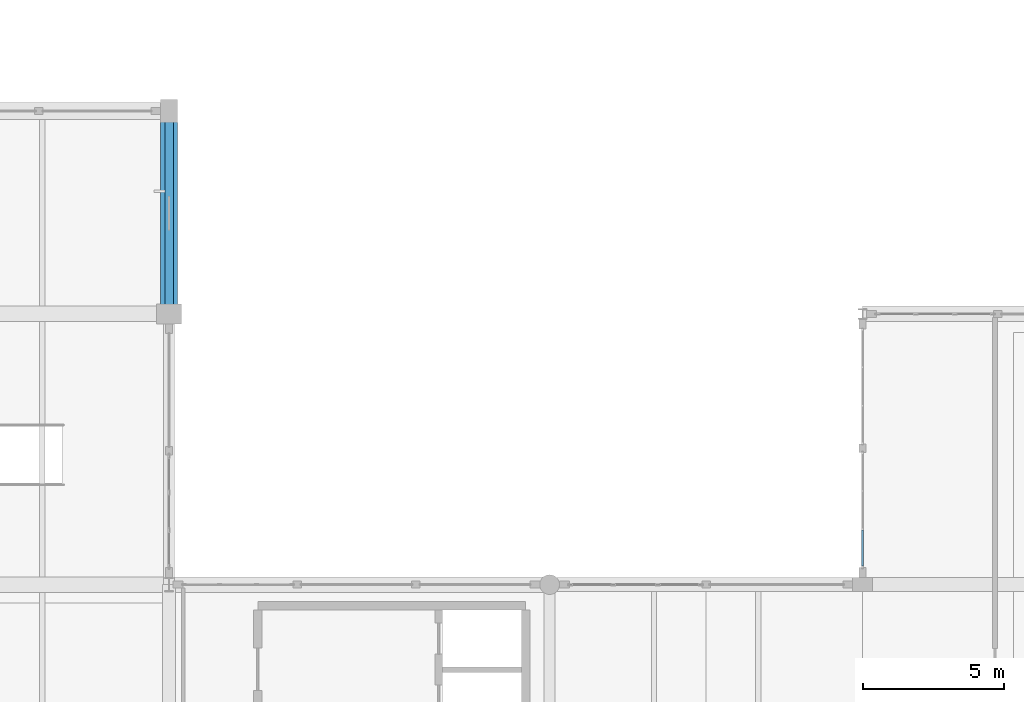
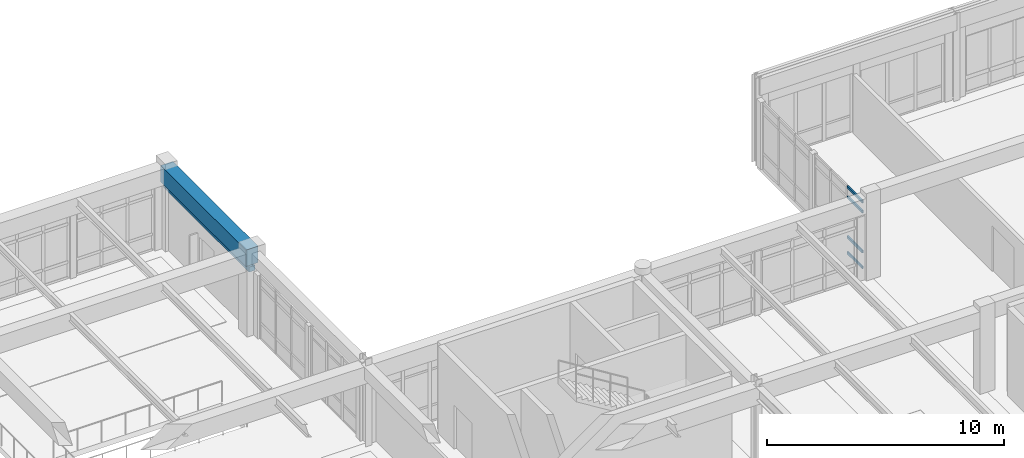
# One storey, part 37 of 80: 4 members, 2 beams, 1 element without a shape of its own.
"""IFC4 building model written with IfcOpenShell, lengths in metres."""

from ifc_helpers import new_model, si_unit, direction, frame, origin, origin_2d, place, context, subcontext, project, spatial, rectangle, hollow_rectangle, extrude, material, layer, layer_set, material_profile, profile_set, type_object, element, aggregate, save


model = new_model("IFC4")

# Units and contexts
model_context = context("Model", 3, precision=1e-05, world=origin(), true_north=direction((0.0, 1.0)))
body_context = subcontext(model_context, "Body", "Model", "MODEL_VIEW")
ifc_project = project(units=[si_unit("LENGTHUNIT", "METRE"), si_unit("AREAUNIT", "SQUARE_METRE"), si_unit("VOLUMEUNIT", "CUBIC_METRE"), si_unit("PLANEANGLEUNIT", "RADIAN"), si_unit("MASSUNIT", "GRAM", prefix="KILO")], contexts=[model_context])

# Site, building, storey
site_placement = place(None, origin())
site = spatial("IfcSite", under=ifc_project, at=site_placement, CompositionType="ELEMENT")
building_placement = place(site_placement, origin())
building = spatial("IfcBuilding", under=site, at=building_placement, Name="Fikremerkos Civic Library", CompositionType="ELEMENT")
storey_placement = place(building_placement, frame((0.0, 0.0, 9.89990234375)))
storey = spatial("IfcBuildingStorey", under=building, at=storey_placement, Name="L02", CompositionType="ELEMENT", Elevation=9.89990234375)

# Curtain wall, members
ifc_material_1 = material(Name="Anodized aluminium Frame", Category="aluminium")
ifc_layer = layer(ifc_material_1, 0.159912109375, Name="Anodized aluminium Frame")
ifc_layer_set = layer_set([ifc_layer], Name="Anodized aluminium Frame")
curtain_wall_type = type_object("IfcCurtainWallType", Name="Unitised curtain wall CW-11 3200x3400", PredefinedType="USERDEFINED", material=ifc_layer_set)
curtain_wall_placement = place(storey_placement, origin())
curtain_wall = element("IfcCurtainWall", 1, at=curtain_wall_placement, inside=storey, type_object=curtain_wall_type, Name="Unitised curtain wall CW-11 L02 #173", ObjectType="UNITISED CURTAIN WALL", PredefinedType="USERDEFINED")
ifc_material_profile_1 = material_profile(ifc_material_1, hollow_rectangle(XDim=0.06494140625, YDim=0.135009765625, WallThickness=0.00439453125, at=origin_2d()), Name="ALU 135x65x4.5")
ifc_profile_set_1 = profile_set([ifc_material_profile_1], Name="Anodized aluminium Frame")
member_type = type_object("IfcMemberType", Name="Curtain transom CWT-02 ALU 135x65x4.5", PredefinedType="USERDEFINED", material=ifc_profile_set_1)
member_1_placement = place(storey_placement, frame((124.800048828125, 31.85791015625, 0.03271484375), z_axis=(0.0, 1.0, 0.0), x_axis=(-1.0, 0.0, 0.0)))
member_1 = element("IfcMember", 2, at=member_1_placement, type_object=member_type, Name="CW-11 transom 1.1", ObjectType="TRANSOM", PredefinedType="USERDEFINED", context=body_context, shape_type="SweptSolid", body=[
    extrude(hollow_rectangle(XDim=0.06494140625, YDim=0.135009765625, WallThickness=0.00439453125, at=origin_2d()), origin(), (0.0, 0.0, 1.0), 1.2724609375),
])
member_2_placement = place(storey_placement, frame((124.800048828125, 31.85791015625, 0.85009765625), z_axis=(0.0, 1.0, 0.0), x_axis=(-1.0, 0.0, 0.0)))
member_2 = element("IfcMember", 3, at=member_2_placement, type_object=member_type, Name="CW-11 transom 1.2", ObjectType="TRANSOM", PredefinedType="USERDEFINED", context=body_context, shape_type="SweptSolid", body=[
    extrude(hollow_rectangle(XDim=0.06494140625, YDim=0.135009765625, WallThickness=0.00439453125, at=origin_2d()), origin(), (0.0, 0.0, 1.0), 1.2724609375),
])
member_3_placement = place(storey_placement, frame((124.800048828125, 31.85791015625, 2.900146484375), z_axis=(0.0, 1.0, 0.0), x_axis=(-1.0, 0.0, 0.0)))
member_3 = element("IfcMember", 4, at=member_3_placement, type_object=member_type, Name="CW-11 transom 1.3", ObjectType="TRANSOM", PredefinedType="USERDEFINED", context=body_context, shape_type="SweptSolid", body=[
    extrude(hollow_rectangle(XDim=0.06494140625, YDim=0.135009765625, WallThickness=0.00439453125, at=origin_2d()), origin(), (0.0, 0.0, 1.0), 1.2724609375),
])
member_4_placement = place(storey_placement, frame((124.800048828125, 31.85791015625, 3.41748046875), z_axis=(0.0, 1.0, 0.0), x_axis=(-1.0, 0.0, 0.0)))
member_4 = element("IfcMember", 5, at=member_4_placement, type_object=member_type, Name="CW-11 transom 1.4", ObjectType="TRANSOM", PredefinedType="USERDEFINED", context=body_context, shape_type="SweptSolid", body=[
    extrude(hollow_rectangle(XDim=0.06494140625, YDim=0.135009765625, WallThickness=0.00439453125, at=origin_2d()), origin(), (0.0, 0.0, 1.0), 1.2724609375),
])
aggregate(curtain_wall, [member_1, member_2, member_3, member_4])

# Beams
ifc_material_2 = material(Name="Concrete C40/50", Category="concrete")
ifc_material_profile_2 = material_profile(ifc_material_2, rectangle(XDim=0.300048828125, YDim=0.260009765625, at=origin_2d()), Name="RC 300x260")
ifc_profile_set_2 = profile_set([ifc_material_profile_2], Name="Concrete C40/50")
beam_type_1 = type_object("IfcBeamType", Name="Opening lintel LNT-02 RC 300x260", PredefinedType="LINTEL", material=ifc_profile_set_2)
beam_1_placement = place(storey_placement, frame((100.199951171875, 48.0, 3.16015625), z_axis=(0.0, -1.0, 0.0), x_axis=(1.0, 0.0, 0.0)))
element("IfcBeam", 6, at=beam_1_placement, inside=storey, type_object=beam_type_1, Name="Courtyard window head lintel LNT-02 L02 #27", PredefinedType="LINTEL", context=body_context, shape_type="SweptSolid", body=[
    extrude(rectangle(XDim=0.300048828125, YDim=0.260009765625, at=origin_2d()), origin(), (0.0, 0.0, 1.0), 7.199951171875),
])
ifc_material_profile_3 = material_profile(ifc_material_2, rectangle(XDim=0.60009765625, YDim=0.85009765625, at=origin_2d()), Name="RC 600x850")
ifc_profile_set_3 = profile_set([ifc_material_profile_3], Name="Concrete C40/50")
beam_type_2 = type_object("IfcBeamType", Name="Primary girder BM-24 RC 600x850", PredefinedType="BEAM", material=ifc_profile_set_3)
beam_2_placement = place(storey_placement, frame((100.199951171875, 40.800048828125, 3.795166015625), z_axis=(0.0, 1.0, 0.0), x_axis=(-1.0, 0.0, 0.0)))
element("IfcBeam", 7, at=beam_2_placement, inside=storey, type_object=beam_type_2, Name="Primary girder BM-24 L02 grid 9", PredefinedType="BEAM", context=body_context, shape_type="SweptSolid", body=[
    extrude(rectangle(XDim=0.60009765625, YDim=0.85009765625, at=origin_2d()), origin(), (0.0, 0.0, 1.0), 7.199951171875),
])

save(model, "model.ifc")
